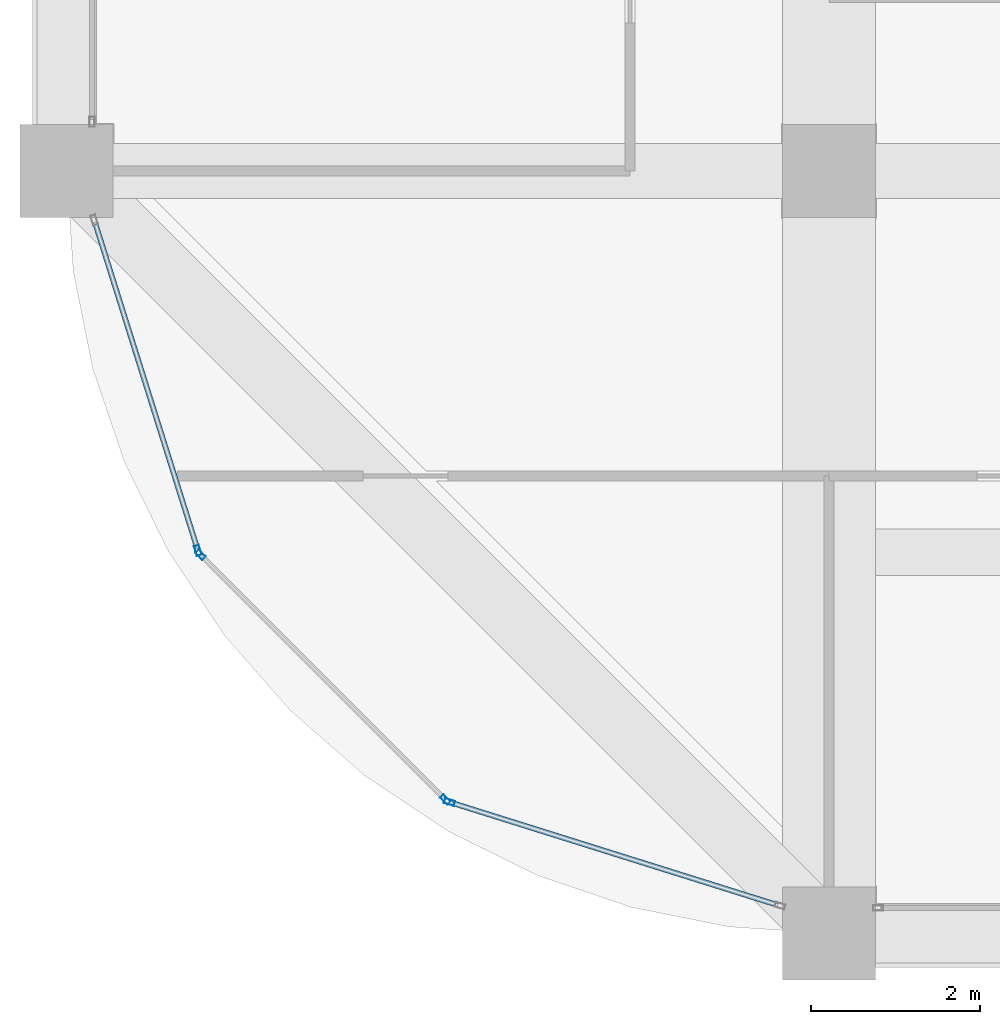
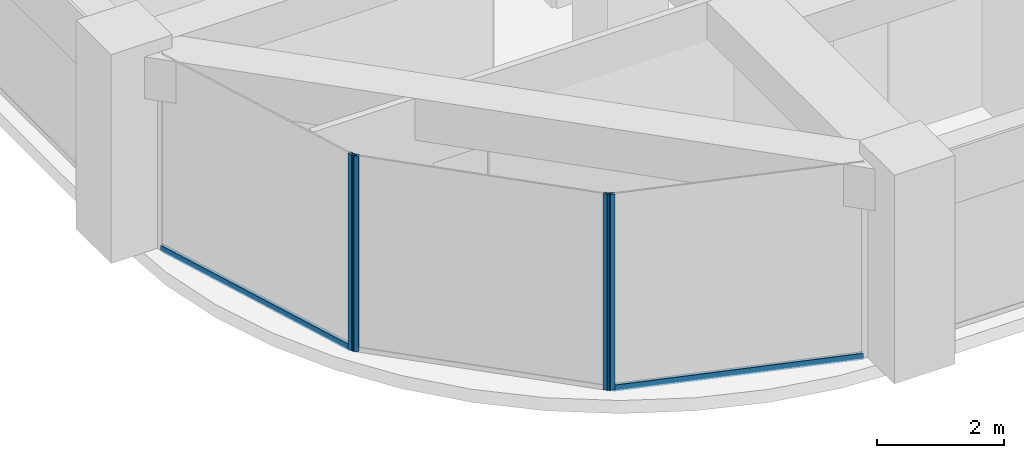
# One storey, part 2 of 44: 6 members, 3 elements without a shape of their own.
"""IFC4 building model written with IfcOpenShell, lengths in metres."""

from ifc_helpers import new_model, si_unit, direction, frame, origin, origin_2d, place, context, subcontext, project, spatial, hollow_rectangle, extrude, material, material_profile, profile_set, type_object, element, aggregate, save


model = new_model("IFC4")

# Units and contexts
model_context = context("Model", 3, precision=1e-05, world=origin(), true_north=direction((0.0, 1.0)))
body_context = subcontext(model_context, "Body", "Model", "MODEL_VIEW")
ifc_project = project(units=[si_unit("LENGTHUNIT", "METRE"), si_unit("AREAUNIT", "SQUARE_METRE"), si_unit("VOLUMEUNIT", "CUBIC_METRE"), si_unit("PLANEANGLEUNIT", "RADIAN"), si_unit("MASSUNIT", "GRAM", prefix="KILO")], contexts=[model_context])

# Site, building, storey
site_placement = place(None, origin())
site = spatial("IfcSite", under=ifc_project, at=site_placement, CompositionType="ELEMENT")
building_placement = place(site_placement, origin())
building = spatial("IfcBuilding", under=site, at=building_placement, Name="Zorevar Civic Tower", CompositionType="ELEMENT")
storey_placement = place(building_placement, frame((0.0, 0.0, 259.39990234375)))
storey = spatial("IfcBuildingStorey", under=building, at=storey_placement, Name="L63", CompositionType="ELEMENT", Elevation=259.39990234375)

# Curtain wall, member
ifc_material_1 = material(Name="Dark grey solar-control glass in black aluminium frame", Category="aluminium")
curtain_wall_type = type_object("IfcCurtainWallType", Name="Curtain wall CW5 top zone", PredefinedType="NOTDEFINED", material=ifc_material_1)
curtain_wall_1_placement = place(storey_placement, origin())
curtain_wall_1 = element("IfcCurtainWall", 1, at=curtain_wall_1_placement, inside=storey, type_object=curtain_wall_type, Name="CW5 L63", PredefinedType="NOTDEFINED")
ifc_material_2 = material(Name="Aluminium, black anodised", Category="aluminium")
ifc_material_profile_1 = material_profile(ifc_material_2, hollow_rectangle(XDim=0.06005859375, YDim=0.1201171875, WallThickness=0.0029296875, at=origin_2d()), Name="AL 120x60x3")
ifc_profile_set_1 = profile_set([ifc_material_profile_1], Name="Aluminium, black anodised")
member_type_1 = type_object("IfcMemberType", Name="CW5 mullion AL 120x60x3", PredefinedType="MULLION", material=ifc_profile_set_1)
member_1_placement = place(storey_placement, frame((10.550048828125, 4.520751953125, 0.0), z_axis=(0.0, 0.0, 1.0), x_axis=(0.954153437674, 0.299317920238, 0.0)))
member_1 = element("IfcMember", 2, at=member_1_placement, type_object=member_type_1, Name="CW5 mullion 2", PredefinedType="MULLION", context=body_context, shape_type="SweptSolid", body=[
    extrude(hollow_rectangle(XDim=0.06005859375, YDim=0.1201171875, WallThickness=0.0029296875, at=origin_2d()), origin(), (0.0, 0.0, 1.0), 3.75),
])

# Curtain wall, members
curtain_wall_2_placement = place(storey_placement, origin())
curtain_wall_2 = element("IfcCurtainWall", 3, at=curtain_wall_2_placement, inside=storey, type_object=curtain_wall_type, Name="CW5 L63", PredefinedType="NOTDEFINED")
member_2_placement = place(storey_placement, frame((10.580322265625, 4.470947265625, 0.0), z_axis=(0.0, 0.0, 1.0), x_axis=(0.707106781187, 0.707106781187, 0.0)))
member_2 = element("IfcMember", 4, at=member_2_placement, type_object=member_type_1, Name="CW5 mullion 1", PredefinedType="MULLION", context=body_context, shape_type="SweptSolid", body=[
    extrude(hollow_rectangle(XDim=0.06005859375, YDim=0.1201171875, WallThickness=0.0029296875, at=origin_2d()), origin(), (0.0, 0.0, 1.0), 3.75),
])
member_3_placement = place(storey_placement, frame((13.470947265625, 1.580322265625, 0.0), z_axis=(0.0, 0.0, 1.0), x_axis=(0.707106781187, 0.707106781187, 0.0)))
member_3 = element("IfcMember", 5, at=member_3_placement, type_object=member_type_1, Name="CW5 mullion 2", PredefinedType="MULLION", context=body_context, shape_type="SweptSolid", body=[
    extrude(hollow_rectangle(XDim=0.06005859375, YDim=0.1201171875, WallThickness=0.0029296875, at=origin_2d()), origin(), (0.0, 0.0, 1.0), 3.75),
])
aggregate(curtain_wall_2, [member_2, member_3])

# Curtain wall, member
curtain_wall_3_placement = place(storey_placement, origin())
curtain_wall_3 = element("IfcCurtainWall", 6, at=curtain_wall_3_placement, inside=storey, type_object=curtain_wall_type, Name="CW5 L63", PredefinedType="NOTDEFINED")
member_4_placement = place(storey_placement, frame((13.520751953125, 1.550048828125, 0.0), z_axis=(0.0, 0.0, 1.0), x_axis=(0.299317920238, 0.954153437674, 0.0)))
member_4 = element("IfcMember", 7, at=member_4_placement, type_object=member_type_1, Name="CW5 mullion 1", PredefinedType="MULLION", context=body_context, shape_type="SweptSolid", body=[
    extrude(hollow_rectangle(XDim=0.06005859375, YDim=0.1201171875, WallThickness=0.0029296875, at=origin_2d()), origin(), (0.0, 0.0, 1.0), 3.75),
])

# Member
ifc_material_3 = material(Name="Aluminium, black anodised", Category="aluminium")
ifc_material_profile_2 = material_profile(ifc_material_3, hollow_rectangle(XDim=0.06005859375, YDim=0.1201171875, WallThickness=0.0029296875, at=origin_2d()), Name="AL 120x60x3")
ifc_profile_set_2 = profile_set([ifc_material_profile_2], Name="Aluminium, black anodised")
member_type_2 = type_object("IfcMemberType", Name="CW5 transom AL 120x60x3", PredefinedType="USERDEFINED", material=ifc_profile_set_2)
member_5_placement = place(storey_placement, frame((9.33544921875, 8.392822265625, 0.030029296875), z_axis=(0.299285978047, -0.954163457351, 0.0), x_axis=(0.954163457351, 0.299285978047, 0.0)))
member_5 = element("IfcMember", 8, at=member_5_placement, type_object=member_type_2, Name="CW5 sill transom", ObjectType="TRANSOM", PredefinedType="USERDEFINED", context=body_context, shape_type="SweptSolid", body=[
    extrude(hollow_rectangle(XDim=0.06005859375, YDim=0.1201171875, WallThickness=0.0029296875, at=origin_2d()), origin(), (0.0, 0.0, 1.0), 4.028076171875),
])

aggregate(curtain_wall_1, [member_1, member_5])

member_6_placement = place(storey_placement, frame((13.54931640625, 1.541015625, 0.030029296875), z_axis=(0.954163457351, -0.299285978047, 0.0), x_axis=(0.299285978047, 0.954163457351, 0.0)))
member_6 = element("IfcMember", 9, at=member_6_placement, type_object=member_type_2, Name="CW5 sill transom", ObjectType="TRANSOM", PredefinedType="USERDEFINED", context=body_context, shape_type="SweptSolid", body=[
    extrude(hollow_rectangle(XDim=0.06005859375, YDim=0.1201171875, WallThickness=0.0029296875, at=origin_2d()), origin(), (0.0, 0.0, 1.0), 4.028076171875),
])

aggregate(curtain_wall_3, [member_4, member_6])

save(model, "model.ifc")
